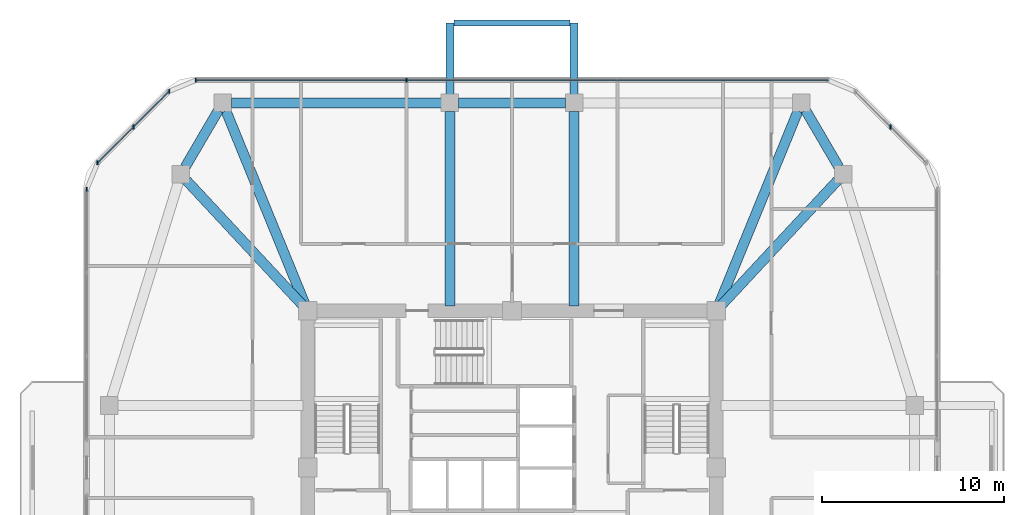
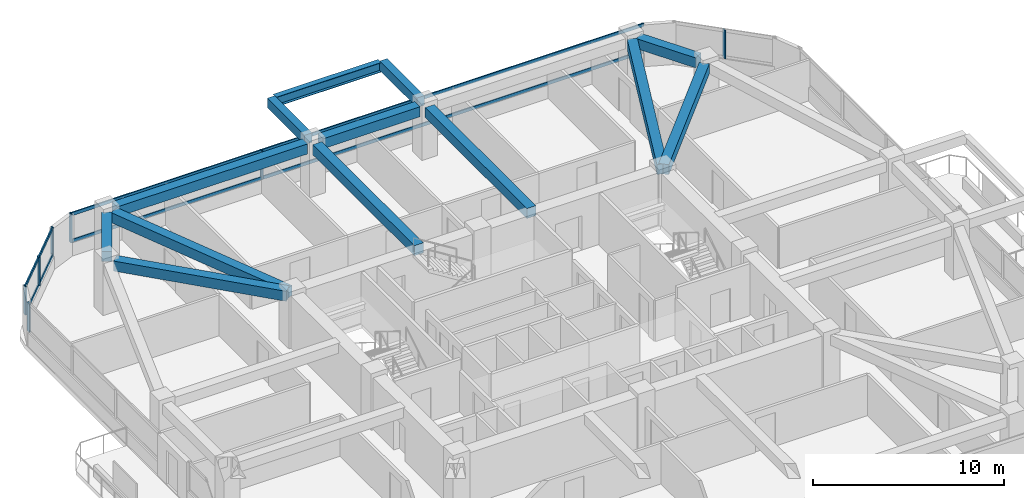
# One storey, part 5 of 12: 13 beams, 11 members, 4 elements without a shape of their own.
"""IFC4 building model written with IfcOpenShell, lengths in metres."""

from ifc_helpers import new_model, si_unit, derived_unit, direction, frame, origin, origin_2d, place, context, subcontext, project, spatial, rectangle, i_section, extrude, material, material_profile, profile_set, type_object, element, aggregate, save


model = new_model("IFC4")

# Units and contexts
model_context = context("Model", 3, precision=1e-05, world=origin(), true_north=direction((0.0, 1.0)))
body_context = subcontext(model_context, "Body", "Model", "MODEL_VIEW")
ifc_project = project(units=[si_unit("LENGTHUNIT", "METRE"), si_unit("AREAUNIT", "SQUARE_METRE"), si_unit("VOLUMEUNIT", "CUBIC_METRE"), si_unit("PLANEANGLEUNIT", "RADIAN"), si_unit("MASSUNIT", "GRAM", prefix="KILO"), derived_unit("THERMALTRANSMITTANCEUNIT", [(si_unit("POWERUNIT", "WATT"), 1), (si_unit("LENGTHUNIT", "METRE"), -2), (si_unit("THERMODYNAMICTEMPERATUREUNIT", "KELVIN"), -1)])], contexts=[model_context])

# Site, building, storey
site_placement = place(None, origin())
site = spatial("IfcSite", under=ifc_project, at=site_placement, CompositionType="ELEMENT")
building_placement = place(site_placement, origin())
building = spatial("IfcBuilding", under=site, at=building_placement, Name="Koralith Skygarden Medical Center", CompositionType="ELEMENT")
storey_placement = place(building_placement, frame((0.0, 0.0, 170.820068359375)))
storey = spatial("IfcBuildingStorey", under=building, at=storey_placement, Name="L44", CompositionType="ELEMENT", Elevation=170.820068359375)

# Curtain wall, member
ifc_material_1 = material(Name="Clear Laminated Glass", Category="glass")
curtain_wall_type = type_object("IfcCurtainWallType", Name="CW-4 Zone 3 Waist High-Wind Curtain Wall", PredefinedType="NOTDEFINED", material=ifc_material_1)
curtain_wall_1_placement = place(storey_placement, origin())
curtain_wall_1 = element("IfcCurtainWall", 1, at=curtain_wall_1_placement, inside=storey, type_object=curtain_wall_type, Name="Curtain Wall CW-L44-NE", PredefinedType="NOTDEFINED")
ifc_material_2 = material(Name="Aluminium 6063-T6", Category="aluminium")
ifc_material_profile_1 = material_profile(ifc_material_2, rectangle(XDim=0.076904296875, YDim=0.22998046875, at=origin_2d()), Name="MUL77X230")
ifc_profile_set_1 = profile_set([ifc_material_profile_1], Name="Aluminium 6063-T6")
member_type_1 = type_object("IfcMemberType", Name="CW-4 Extruded Mullion 77x230", PredefinedType="MULLION", material=ifc_profile_set_1)
member_1_placement = place(storey_placement, frame((57.741943359375, 44.556884765625, 0.849853515625), z_axis=(0.0, 0.0, 1.0), x_axis=(1.0, 0.0, 0.0)))
member_1 = element("IfcMember", 2, at=member_1_placement, type_object=member_type_1, Name="CW-L44-NE Mullion 2", PredefinedType="MULLION", context=body_context, shape_type="SweptSolid", body=[
    extrude(rectangle(XDim=0.076904296875, YDim=0.22998046875, at=origin_2d()), origin(), (0.0, 0.0, 1.0), 1.820068359375),
])
aggregate(curtain_wall_1, [member_1])

# Curtain wall, members
curtain_wall_2_placement = place(storey_placement, origin())
curtain_wall_2 = element("IfcCurtainWall", 3, at=curtain_wall_2_placement, inside=storey, type_object=curtain_wall_type, Name="Curtain Wall CW-L44-N", PredefinedType="NOTDEFINED")
member_2_placement = place(storey_placement, frame((31.22412109375, 47.1201171875, 0.849853515625), z_axis=(0.0, 0.0, 1.0), x_axis=(1.0, 0.0, 0.0)))
member_2 = element("IfcMember", 4, at=member_2_placement, type_object=member_type_1, Name="CW-L44-N Mullion 3", PredefinedType="MULLION", context=body_context, shape_type="SweptSolid", body=[
    extrude(rectangle(XDim=0.076904296875, YDim=0.22998046875, at=origin_2d()), origin(), (0.0, 0.0, 1.0), 1.820068359375),
])
member_3_placement = place(storey_placement, frame((19.6708984375, 47.1201171875, 0.849853515625), z_axis=(0.0, 0.0, 1.0), x_axis=(1.0, 0.0, 0.0)))
member_3 = element("IfcMember", 5, at=member_3_placement, type_object=member_type_1, Name="CW-L44-N Mullion 4", PredefinedType="MULLION", context=body_context, shape_type="SweptSolid", body=[
    extrude(rectangle(XDim=0.076904296875, YDim=0.22998046875, at=origin_2d()), origin(), (0.0, 0.0, 1.0), 1.820068359375),
])

curtain_wall_3_placement = place(storey_placement, origin())
curtain_wall_3 = element("IfcCurtainWall", 6, at=curtain_wall_3_placement, inside=storey, type_object=curtain_wall_type, Name="Curtain Wall CW-L44-NW", PredefinedType="NOTDEFINED")
member_4_placement = place(storey_placement, frame((18.219970703125, 46.51904296875, 0.849853515625), z_axis=(0.0, 0.0, 1.0), x_axis=(1.0, 0.0, 0.0)))
member_4 = element("IfcMember", 7, at=member_4_placement, type_object=member_type_1, Name="CW-L44-NW Mullion 1", PredefinedType="MULLION", context=body_context, shape_type="SweptSolid", body=[
    extrude(rectangle(XDim=0.076904296875, YDim=0.22998046875, at=origin_2d()), origin(), (0.0, 0.0, 1.0), 1.820068359375),
])
member_5_placement = place(storey_placement, frame((16.258056640625, 44.556884765625, 0.849853515625), z_axis=(0.0, 0.0, 1.0), x_axis=(1.0, 0.0, 0.0)))
member_5 = element("IfcMember", 8, at=member_5_placement, type_object=member_type_1, Name="CW-L44-NW Mullion 2", PredefinedType="MULLION", context=body_context, shape_type="SweptSolid", body=[
    extrude(rectangle(XDim=0.076904296875, YDim=0.22998046875, at=origin_2d()), origin(), (0.0, 0.0, 1.0), 1.820068359375),
])
member_6_placement = place(storey_placement, frame((14.297119140625, 42.595947265625, 0.849853515625), z_axis=(0.0, 0.0, 1.0), x_axis=(1.0, 0.0, 0.0)))
member_6 = element("IfcMember", 9, at=member_6_placement, type_object=member_type_1, Name="CW-L44-NW Mullion 3", PredefinedType="MULLION", context=body_context, shape_type="SweptSolid", body=[
    extrude(rectangle(XDim=0.076904296875, YDim=0.22998046875, at=origin_2d()), origin(), (0.0, 0.0, 1.0), 1.820068359375),
])

# Curtain wall, member
curtain_wall_4_placement = place(storey_placement, origin())
curtain_wall_4 = element("IfcCurtainWall", 10, at=curtain_wall_4_placement, inside=storey, type_object=curtain_wall_type, Name="Curtain Wall CW-L44-W-L", PredefinedType="NOTDEFINED")
member_7_placement = place(storey_placement, frame((13.696044921875, 41.14501953125, 0.849853515625), z_axis=(0.0, 0.0, 1.0), x_axis=(1.0, 0.0, 0.0)))
member_7 = element("IfcMember", 11, at=member_7_placement, type_object=member_type_1, Name="CW-L44-W-L Mullion 1", PredefinedType="MULLION", context=body_context, shape_type="SweptSolid", body=[
    extrude(rectangle(XDim=0.076904296875, YDim=0.22998046875, at=origin_2d()), origin(), (0.0, 0.0, 1.0), 1.820068359375),
])
aggregate(curtain_wall_4, [member_7])

# Member
ifc_material_profile_2 = material_profile(ifc_material_2, rectangle(XDim=0.072021484375, YDim=0.20703125, at=origin_2d()), Name="TRN72X207")
ifc_profile_set_2 = profile_set([ifc_material_profile_2], Name="Aluminium 6063-T6")
member_type_2 = type_object("IfcMemberType", Name="CW-4 Thermal Transom 72x207", PredefinedType="USERDEFINED", material=ifc_profile_set_2)
member_8_placement = place(storey_placement, frame((54.3291015625, 47.1201171875, 0.89990234375), z_axis=(-1.0, 0.0, 0.0), x_axis=(0.0, -1.0, 0.0)))
member_8 = element("IfcMember", 12, at=member_8_placement, type_object=member_type_2, Name="CW-L44-N Transom 1", ObjectType="TRANSOM", PredefinedType="USERDEFINED", context=body_context, shape_type="SweptSolid", body=[
    extrude(rectangle(XDim=0.072021484375, YDim=0.20703125, at=origin_2d()), origin(), (0.0, 0.0, 1.0), 34.658203125),
])

member_9_placement = place(storey_placement, frame((54.3291015625, 47.1201171875, 2.619873046875), z_axis=(-1.0, 0.0, 0.0), x_axis=(0.0, -1.0, 0.0)))
member_9 = element("IfcMember", 13, at=member_9_placement, type_object=member_type_2, Name="CW-L44-N Transom 2", ObjectType="TRANSOM", PredefinedType="USERDEFINED", context=body_context, shape_type="SweptSolid", body=[
    extrude(rectangle(XDim=0.072021484375, YDim=0.20703125, at=origin_2d()), origin(), (0.0, 0.0, 1.0), 34.658203125),
])

aggregate(curtain_wall_2, [member_2, member_3, member_8, member_9])

member_10_placement = place(storey_placement, frame((18.219970703125, 46.51904296875, 0.89990234375), z_axis=(-0.707084777957, -0.707128783731, 0.0), x_axis=(0.707128783731, -0.707084777957, 0.0)))
member_10 = element("IfcMember", 14, at=member_10_placement, type_object=member_type_2, Name="CW-L44-NW Transom 1", ObjectType="TRANSOM", PredefinedType="USERDEFINED", context=body_context, shape_type="SweptSolid", body=[
    extrude(rectangle(XDim=0.072021484375, YDim=0.20703125, at=origin_2d()), origin(), (0.0, 0.0, 1.0), 5.5478515625),
])

member_11_placement = place(storey_placement, frame((18.219970703125, 46.51904296875, 2.619873046875), z_axis=(-0.707084777957, -0.707128783731, 0.0), x_axis=(0.707128783731, -0.707084777957, 0.0)))
member_11 = element("IfcMember", 15, at=member_11_placement, type_object=member_type_2, Name="CW-L44-NW Transom 2", ObjectType="TRANSOM", PredefinedType="USERDEFINED", context=body_context, shape_type="SweptSolid", body=[
    extrude(rectangle(XDim=0.072021484375, YDim=0.20703125, at=origin_2d()), origin(), (0.0, 0.0, 1.0), 5.5478515625),
])

aggregate(curtain_wall_3, [member_4, member_5, member_6, member_10, member_11])

# Beams
ifc_material_3 = material(Name="Steel ASTM A992 Grade 50", Category="steel")
ifc_material_profile_3 = material_profile(ifc_material_3, i_section(OverallWidth=0.326904296875, OverallDepth=0.6220703125, WebThickness=0.015380859375, FlangeThickness=0.0244140625, at=origin_2d()), Name="W24X131")
ifc_profile_set_3 = profile_set([ifc_material_profile_3], Name="Steel ASTM A992 Grade 50")
beam_type_1 = type_object("IfcBeamType", Name="Cantilever Tie Beam W24X131", PredefinedType="BEAM", material=ifc_profile_set_3)
beam_1_placement = place(storey_placement, frame((33.820068359375, 50.260009765625, 3.029052734375), z_axis=(1.0, 0.0, 0.0), x_axis=(0.0, 1.0, 0.0)))
element("IfcBeam", 16, at=beam_1_placement, inside=storey, type_object=beam_type_1, Name="L45 N Balcony Tip Tie Beam", PredefinedType="BEAM", context=body_context, shape_type="SweptSolid", body=[
    extrude(i_section(OverallWidth=0.326904296875, OverallDepth=0.6220703125, WebThickness=0.015380859375, FlangeThickness=0.0244140625, at=origin_2d()), origin(), (0.0, 0.0, 1.0), 6.35986328125),
])
ifc_material_4 = material(Name="Concrete C45/55", Category="concrete")
ifc_material_profile_4 = material_profile(ifc_material_4, rectangle(XDim=0.449951171875, YDim=0.60009765625, at=origin_2d()), Name="RCB450X600")
ifc_profile_set_4 = profile_set([ifc_material_profile_4], Name="Concrete C45/55")
beam_type_2 = type_object("IfcBeamType", Name="Planted Balcony Cantilever Beam RCB450X600", PredefinedType="BEAM", material=ifc_profile_set_4)
for number, where, z_axis, x_axis, name in (
    (17, (33.60009765625, 46.340087890625, 3.0400390625), (0.0, 1.0, 0.0), (-1.0, 0.0, 0.0), "L45 N Balcony Cantilever Beam A"),
    (18, (40.39990234375, 46.340087890625, 3.0400390625), (0.0, 1.0, 0.0), (-1.0, 0.0, 0.0), "L45 N Balcony Cantilever Beam B"),
):
    element("IfcBeam", number, at=place(storey_placement, frame(where, z_axis=z_axis, x_axis=x_axis)), inside=storey, type_object=beam_type_2, Name=name, PredefinedType="BEAM", context=body_context, shape_type="SweptSolid", body=[
        extrude(rectangle(XDim=0.449951171875, YDim=0.60009765625, at=origin_2d()), origin(), (0.0, 0.0, 1.0), 3.919921875),
    ])
ifc_material_profile_5 = material_profile(ifc_material_4, rectangle(XDim=0.550048828125, YDim=0.639892578125, at=origin_2d()), Name="RCB550X640")
ifc_profile_set_5 = profile_set([ifc_material_profile_5], Name="Concrete C45/55")
beam_type_3 = type_object("IfcBeamType", Name="Radial Collector Beam RCB550X640", PredefinedType="BEAM", material=ifc_profile_set_5)
beam_2_placement = place(storey_placement, frame((48.3701171875, 34.68310546875, 3.0), z_axis=(0.681369011591, 0.731940072713, 0.0), x_axis=(-0.731940072713, 0.681369011591, 0.0)))
element("IfcBeam", 19, at=beam_2_placement, inside=storey, type_object=beam_type_3, Name="L44 Radial Collector Beam RB-10", PredefinedType="BEAM", context=body_context, shape_type="SweptSolid", body=[
    extrude(rectangle(XDim=0.550048828125, YDim=0.639892578125, at=origin_2d()), origin(), (0.0, 0.0, 1.0), 9.471923828125),
])
beam_3_placement = place(storey_placement, frame((48.294921875, 34.73095703125, 3.0), z_axis=(0.378344544364, 0.92566484526, 0.0), x_axis=(-0.92566484526, 0.378344544364, 0.0)))
element("IfcBeam", 20, at=beam_3_placement, inside=storey, type_object=beam_type_3, Name="L44 Radial Collector Beam RB-11", PredefinedType="BEAM", context=body_context, shape_type="SweptSolid", body=[
    extrude(rectangle(XDim=0.550048828125, YDim=0.639892578125, at=origin_2d()), origin(), (0.0, 0.0, 1.0), 11.574462890625),
])
for number, where, z_axis, x_axis, name in (
    (21, (40.39990234375, 34.75, 3.0), (0.0, 1.0, 0.0), (-1.0, 0.0, 0.0), "L44 Radial Collector Beam RB-12"),
    (22, (33.60009765625, 34.75, 3.0), (0.0, 1.0, 0.0), (-1.0, 0.0, 0.0), "L44 Radial Collector Beam RB-13"),
):
    element("IfcBeam", number, at=place(storey_placement, frame(where, z_axis=z_axis, x_axis=x_axis)), inside=storey, type_object=beam_type_3, Name=name, PredefinedType="BEAM", context=body_context, shape_type="SweptSolid", body=[
        extrude(rectangle(XDim=0.550048828125, YDim=0.639892578125, at=origin_2d()), origin(), (0.0, 0.0, 1.0), 10.659912109375),
    ])
beam_4_placement = place(storey_placement, frame((25.705078125, 34.73095703125, 3.0), z_axis=(-0.378344544364, 0.92566484526, 0.0), x_axis=(-0.92566484526, -0.378344544364, 0.0)))
element("IfcBeam", 23, at=beam_4_placement, inside=storey, type_object=beam_type_3, Name="L44 Radial Collector Beam RB-14", PredefinedType="BEAM", context=body_context, shape_type="SweptSolid", body=[
    extrude(rectangle(XDim=0.550048828125, YDim=0.639892578125, at=origin_2d()), origin(), (0.0, 0.0, 1.0), 11.574462890625),
])
beam_5_placement = place(storey_placement, frame((25.6298828125, 34.68310546875, 3.0), z_axis=(-0.681369011591, 0.731940072713, 0.0), x_axis=(-0.731940072713, -0.681369011591, 0.0)))
element("IfcBeam", 24, at=beam_5_placement, inside=storey, type_object=beam_type_3, Name="L44 Radial Collector Beam RB-15", PredefinedType="BEAM", context=body_context, shape_type="SweptSolid", body=[
    extrude(rectangle(XDim=0.550048828125, YDim=0.639892578125, at=origin_2d()), origin(), (0.0, 0.0, 1.0), 9.471923828125),
])
ifc_material_profile_6 = material_profile(ifc_material_4, rectangle(XDim=0.550048828125, YDim=0.639892578125, at=origin_2d()), Name="RCB550X640")
ifc_profile_set_6 = profile_set([ifc_material_profile_6], Name="Concrete C45/55")
beam_type_4 = type_object("IfcBeamType", Name="Zone 2-3 Spandrel Beam RCB550X640", PredefinedType="SPANDREL", material=ifc_profile_set_6)
beam_6_placement = place(storey_placement, frame((54.906982421875, 42.365966796875, 3.0), z_axis=(-0.504861391295, 0.863200426077, 0.0), x_axis=(-0.863200426077, -0.504861391295, 0.0)))
element("IfcBeam", 25, at=beam_6_placement, inside=storey, type_object=beam_type_4, Name="L44 Perimeter Spandrel Beam SP-10", PredefinedType="SPANDREL", context=body_context, shape_type="SweptSolid", body=[
    extrude(rectangle(XDim=0.550048828125, YDim=0.639892578125, at=origin_2d()), origin(), (0.0, 0.0, 1.0), 3.600830078125),
])
beam_7_placement = place(storey_placement, frame((39.929931640625, 45.8798828125, 3.0), z_axis=(-1.0, 0.0, 0.0), x_axis=(0.0, -1.0, 0.0)))
element("IfcBeam", 26, at=beam_7_placement, inside=storey, type_object=beam_type_4, Name="L44 Perimeter Spandrel Beam SP-12", PredefinedType="SPANDREL", context=body_context, shape_type="SweptSolid", body=[
    extrude(rectangle(XDim=0.550048828125, YDim=0.639892578125, at=origin_2d()), origin(), (0.0, 0.0, 1.0), 5.85986328125),
])
beam_8_placement = place(storey_placement, frame((33.1298828125, 45.8798828125, 3.0), z_axis=(-1.0, 0.0, 0.0), x_axis=(0.0, -1.0, 0.0)))
element("IfcBeam", 27, at=beam_8_placement, inside=storey, type_object=beam_type_4, Name="L44 Perimeter Spandrel Beam SP-13", PredefinedType="SPANDREL", context=body_context, shape_type="SweptSolid", body=[
    extrude(rectangle(XDim=0.550048828125, YDim=0.639892578125, at=origin_2d()), origin(), (0.0, 0.0, 1.0), 11.511962890625),
])
beam_9_placement = place(storey_placement, frame((20.910888671875, 45.47412109375, 3.0), z_axis=(-0.504861391295, -0.863200426077, 0.0), x_axis=(0.863200426077, -0.504861391295, 0.0)))
element("IfcBeam", 28, at=beam_9_placement, inside=storey, type_object=beam_type_4, Name="L44 Perimeter Spandrel Beam SP-14", PredefinedType="SPANDREL", context=body_context, shape_type="SweptSolid", body=[
    extrude(rectangle(XDim=0.550048828125, YDim=0.639892578125, at=origin_2d()), origin(), (0.0, 0.0, 1.0), 3.600830078125),
])

save(model, "model.ifc")
